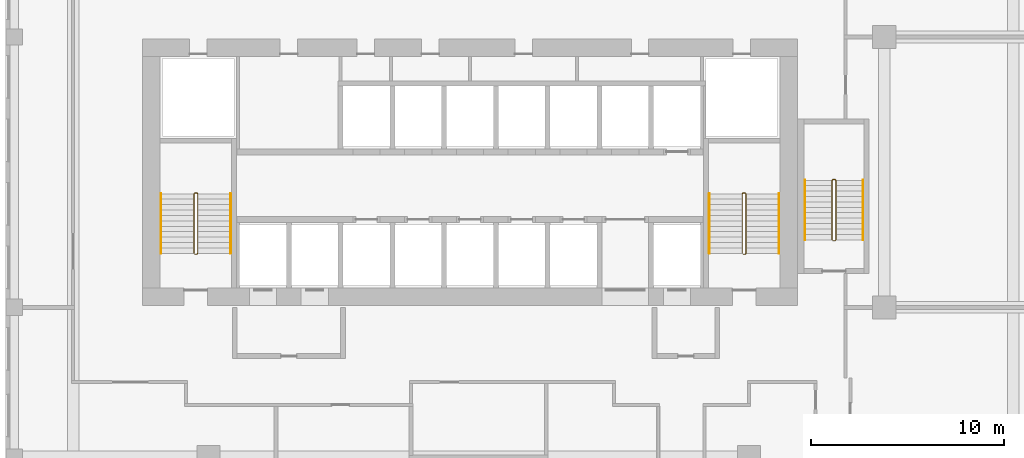
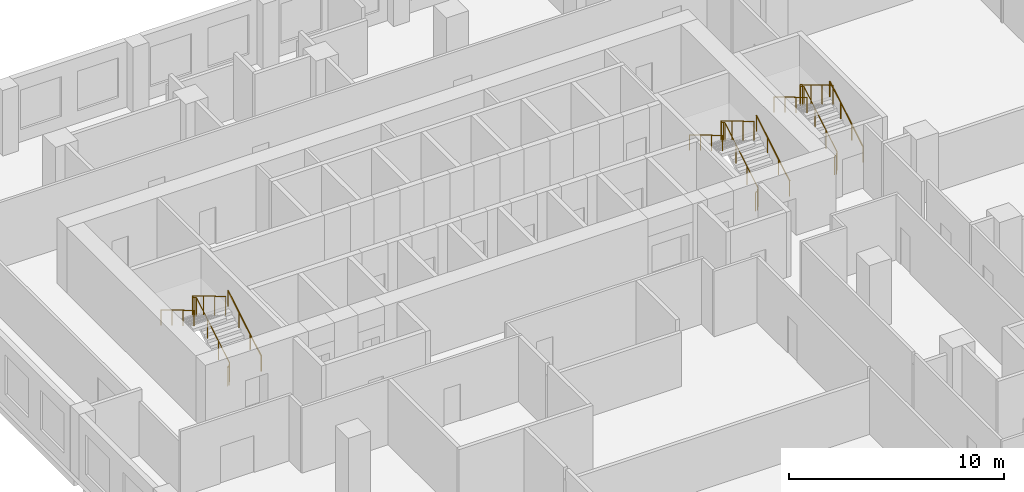
# One storey, part 25 of 26: 9 railings.
"""IFC4 building model written with IfcOpenShell, lengths in metres."""

import ifcopenshell
import ifcopenshell.guid

model = None  # the IFC model being written
_history = None  # IfcOwnerHistory: only IFC2X3 demands one
_inside = {}  # id of a spatial element -> (the spatial element, [elements in it])
_under = {}  # id of a project, library or spatial element -> (it, [spatial elements below it])
_declared = {}  # id of a project -> (the project, [libraries it declares])
_typed = {}  # id of a type object -> (the type object, [elements of that type])
_made_of = {}  # id of a material, layer set ... -> (it, [elements and type objects made of it])


def new_model(schema):
    """Start an empty IFC model of exactly this schema.

    Asked for "IFC4X3", IfcOpenShell would pick the latest addendum, in which some entities
    have other attributes; the version numbers below select the first issue.
    IFC2X3 requires an IfcOwnerHistory on every rooted entity: one is made here for all.
    """
    global model, _history
    if schema == "IFC4X3":
        model = ifcopenshell.file(schema_version=(4, 3, 0, 0))
    else:
        model = ifcopenshell.file(schema=schema)
    _inside.clear()
    _under.clear()
    _declared.clear()
    _typed.clear()
    _made_of.clear()
    _history = None
    if model.schema == "IFC2X3":
        org = make("IfcOrganization", Name="unknown")
        user = make(
            "IfcPersonAndOrganization",
            ThePerson=make("IfcPerson", FamilyName="unknown"),
            TheOrganization=org,
        )
        app = make(
            "IfcApplication",
            ApplicationDeveloper=org,
            Version="unknown",
            ApplicationFullName="unknown",
            ApplicationIdentifier="unknown",
        )
        _history = make(
            "IfcOwnerHistory",
            OwningUser=user,
            OwningApplication=app,
            ChangeAction="ADDED",
            CreationDate=0,
        )
    return model


def make(cls, **values):
    """One entity of the class cls with the attributes given. An attribute that is None is left unset."""
    return model.create_entity(
        cls, **{name: value for name, value in values.items() if value is not None}
    )


def rooted(cls, **values):
    """An entity with a GlobalId (a new one), such as an element, a storey or a relation."""
    return make(cls, GlobalId=ifcopenshell.guid.new(), OwnerHistory=_history, **values)


def si_unit(unit_type, name, prefix=None):
    """IfcSIUnit, for example si_unit("LENGTHUNIT", "METRE", prefix="MILLI")."""
    return make("IfcSIUnit", UnitType=unit_type, Prefix=prefix, Name=name)


def assignment(units):
    """IfcUnitAssignment: the units of a project."""
    return None if units is None else make("IfcUnitAssignment", Units=units)


def point(xyz):
    """IfcCartesianPoint."""
    return None if xyz is None else make("IfcCartesianPoint", Coordinates=xyz)


def direction(xyz):
    """IfcDirection."""
    return None if xyz is None else make("IfcDirection", DirectionRatios=xyz)


def frame(location, z_axis=None, x_axis=None):
    """IfcAxis2Placement3D, a coordinate frame: its origin and axes. An axis left out is left unset."""
    return make(
        "IfcAxis2Placement3D",
        Location=point(location),
        Axis=direction(z_axis),
        RefDirection=direction(x_axis),
    )


def frame_2d(location, x_axis=None):
    """IfcAxis2Placement2D, a coordinate frame in the plane: its origin and x axis."""
    return make(
        "IfcAxis2Placement2D", Location=point(location), RefDirection=direction(x_axis)
    )


def origin():
    """The frame at (0, 0, 0) with its axes left unset."""
    return frame((0.0, 0.0, 0.0))


def origin_2d():
    """The frame at (0, 0) in the plane with its x axis left unset."""
    return frame_2d((0.0, 0.0))


def place(relative_to, where):
    """IfcLocalPlacement: puts the frame where relative to a parent placement (None: the world)."""
    return make(
        "IfcLocalPlacement", PlacementRelTo=relative_to, RelativePlacement=where
    )


def context(
    kind, dimensions, precision=None, world=None, true_north=None, identifier=None
):
    """IfcGeometricRepresentationContext, for example the 3D "Model" context."""
    return make(
        "IfcGeometricRepresentationContext",
        ContextIdentifier=identifier,
        ContextType=kind,
        CoordinateSpaceDimension=dimensions,
        Precision=precision,
        WorldCoordinateSystem=world,
        TrueNorth=true_north,
    )


def subcontext(parent, identifier, kind, view, scale=None):
    """IfcGeometricRepresentationSubContext, for example "Body" below "Model"."""
    return make(
        "IfcGeometricRepresentationSubContext",
        ContextIdentifier=identifier,
        ContextType=kind,
        ParentContext=parent,
        TargetScale=scale,
        TargetView=view,
    )


def project(units=None, contexts=None):
    """IfcProject with its units and contexts."""
    return rooted(
        "IfcProject",
        Name="project",
        RepresentationContexts=contexts,
        UnitsInContext=assignment(units),
    )


def spatial(cls, under=None, at=None, **own):
    """A site, building, storey or space (cls), placed at a placement, below another one or the project."""
    s = rooted(cls, ObjectPlacement=at, **own)
    if under is not None:
        _under.setdefault(under.id(), (under, []))[1].append(s)
    return s


def profile(cls, at=None, kind="AREA", **sizes):
    """A parametric profile (cls). Its sizes go by their IFC names, for example OverallWidth=200.0."""
    return make(cls, ProfileType=kind, Position=at, **sizes)


def circle(**sizes):
    """IfcCircleProfileDef."""
    return profile("IfcCircleProfileDef", **sizes)


def extrude(swept, where, along, depth):
    """IfcExtrudedAreaSolid: the profile swept, set in the frame where, extruded along a direction by depth."""
    return make(
        "IfcExtrudedAreaSolid",
        SweptArea=swept,
        Position=where,
        ExtrudedDirection=direction(along),
        Depth=depth,
    )


def shape(context_of_items, identifier, shape_type, items):
    """IfcShapeRepresentation: the items that make up one representation, for example the "Body"."""
    return make(
        "IfcShapeRepresentation",
        ContextOfItems=context_of_items,
        RepresentationIdentifier=identifier,
        RepresentationType=shape_type,
        Items=items,
    )


def material(Name=None, Category=None):
    """IfcMaterial."""
    return make("IfcMaterial", Name=Name, Category=Category)


def made_of(thing, what):
    """Note that an element or type object is made of a material, layer set ...; save() writes the relation."""
    if what is not None:
        _made_of.setdefault(what.id(), (what, []))[1].append(thing)
    return thing


def type_object(cls, material=None, **own):
    """A type object (cls), such as IfcWallType, which elements share."""
    return made_of(rooted(cls, **own), material)


def element(
    cls,
    number,
    at=None,
    inside=None,
    cuts=None,
    type_object=None,
    material=None,
    context=None,
    identifier="Body",
    shape_type=None,
    held_by="IfcProductDefinitionShape",
    body=None,
    shapes=None,
    **own,
):
    """One element of the class cls, such as IfcWall. Its Tag is "e" and its number.

    at: its placement. inside: the storey or other place that contains it. cuts: it is an
    opening in that element (IfcRelVoidsElement). A single representation is given by context,
    identifier, shape_type and body (its items); several are given by shapes. held_by: the class
    of the entity that holds the representations. save() writes the other relations.
    """
    e = rooted(cls, Tag="e%d" % number, ObjectPlacement=at, **own)
    if body is not None:
        shapes = [shape(context, identifier, shape_type, body)]
    if shapes is not None:
        e.Representation = make(held_by, Representations=shapes)
    if inside is not None:
        _inside.setdefault(inside.id(), (inside, []))[1].append(e)
    if cuts is not None:
        rooted(
            "IfcRelVoidsElement", RelatingBuildingElement=cuts, RelatedOpeningElement=e
        )
    if type_object is not None:
        _typed.setdefault(type_object.id(), (type_object, []))[1].append(e)
    return made_of(e, material)


def aggregate(whole, parts):
    """IfcRelAggregates: a whole, such as a stair, and the parts it consists of."""
    return rooted("IfcRelAggregates", RelatingObject=whole, RelatedObjects=parts)


def save(model, path):
    """Write the relations noted so far, then the file.

    IfcRelAggregates (storeys below a building ...), IfcRelContainedInSpatialStructure (elements
    in a storey), IfcRelDefinesByType, IfcRelAssociatesMaterial and IfcRelDeclares: one each for
    every whole, place, type object, material and project.
    """
    for whole, parts in _under.values():
        aggregate(whole, parts)
    for where, things in _inside.values():
        rooted(
            "IfcRelContainedInSpatialStructure",
            RelatedElements=things,
            RelatingStructure=where,
        )
    for kind, things in _typed.values():
        rooted("IfcRelDefinesByType", RelatedObjects=things, RelatingType=kind)
    for what, things in _made_of.values():
        rooted("IfcRelAssociatesMaterial", RelatedObjects=things, RelatingMaterial=what)
    for by, libraries in _declared.values():
        rooted("IfcRelDeclares", RelatingContext=by, RelatedDefinitions=libraries)
    model.write(path)


model = new_model("IFC4")

# Units and contexts
model_context = context("Model", 3, precision=1e-05, world=origin(), true_north=direction((0.0, 1.0)))
body_context = subcontext(model_context, "Body", "Model", "MODEL_VIEW")
ifc_project = project(units=[si_unit("LENGTHUNIT", "METRE"), si_unit("AREAUNIT", "SQUARE_METRE"), si_unit("VOLUMEUNIT", "CUBIC_METRE"), si_unit("PLANEANGLEUNIT", "RADIAN"), si_unit("MASSUNIT", "GRAM", prefix="KILO")], contexts=[model_context])

# Site, building, storey
site_placement = place(None, origin())
site = spatial("IfcSite", under=ifc_project, at=site_placement, CompositionType="ELEMENT")
building_placement = place(site_placement, origin())
building = spatial("IfcBuilding", under=site, at=building_placement, Name="Kilnfold Tower and Market Hall", CompositionType="ELEMENT")
storey_placement = place(building_placement, frame((0.0, 0.0, 104.60009765625)))
storey = spatial("IfcBuildingStorey", under=building, at=storey_placement, Name="L24", CompositionType="ELEMENT", Elevation=104.60009765625)

# Railings
ifc_material_1 = material(Name="Stainless steel 316", Category="steel")
railing_type_1 = type_object("IfcRailingType", Name="CORE STAIR GUARD 1100", PredefinedType="GUARDRAIL", material=ifc_material_1)
railing_1_placement = place(storey_placement, frame((-13.199951171875, 10.75, 0.0)))
element("IfcRailing", 1, at=railing_1_placement, inside=storey, type_object=railing_type_1, Name="L24 ST1 stair guard 1", PredefinedType="GUARDRAIL", context=body_context, shape_type="SweptSolid", body=[
    extrude(circle(Radius=0.02392578125, at=origin_2d()), frame((0.0, 0.0, 1.076171875), z_axis=(1.0, 0.0, 0.0), x_axis=(0.0, 1.0, 0.0)), (0.0, 0.0, 1.0), 0.099853515625),
    extrude(circle(Radius=0.02392578125, at=origin_2d()), frame((0.099853515625, 0.0, 1.076171875), z_axis=(0.27662974545, 0.27662974545, 0.920299933644), x_axis=(-0.707106781187, 0.707106781187, 0.0)), (0.0, 0.0, 1.0), 0.180908203125),
    extrude(circle(Radius=0.02392578125, at=origin_2d()), frame((0.14990234375, 0.050048828125, 1.24267578125), z_axis=(0.0, 0.859260807169, 0.511537745687), x_axis=(-1.0, 0.0, 0.0)), (0.0, 0.0, 1.0), 3.584228515625),
    extrude(circle(Radius=0.02392578125, at=origin_2d()), frame((0.14990234375, 3.1298828125, 3.076171875), z_axis=(-0.707106781187, 0.707106781187, 0.0), x_axis=(-0.707106781187, -0.707106781187, 0.0)), (0.0, 0.0, 1.0), 0.07080078125),
    extrude(circle(Radius=0.02392578125, at=origin_2d()), frame((0.099853515625, 3.179931640625, 3.076171875), z_axis=(-1.0, 0.0, 0.0), x_axis=(0.0, -1.0, 0.0)), (0.0, 0.0, 1.0), 0.099853515625),
    extrude(circle(Radius=0.02392578125, at=origin_2d()), frame((0.0, 3.179931640625, 3.076171875), z_axis=(-0.27662974545, -0.27662974545, 0.920299933644), x_axis=(0.707106781187, -0.707106781187, 0.0)), (0.0, 0.0, 1.0), 0.180908203125),
    extrude(circle(Radius=0.02392578125, at=origin_2d()), frame((-0.050048828125, 3.1298828125, 3.24267578125), z_axis=(0.0, -0.859260807169, 0.511537745687), x_axis=(1.0, 0.0, 0.0)), (0.0, 0.0, 1.0), 3.584228515625),
    extrude(circle(Radius=0.02099609375, at=origin_2d()), origin(), (0.0, 0.0, 1.0), 1.052001953125),
    extrude(circle(Radius=0.02099609375, at=origin_2d()), frame((0.099853515625, 0.0, 0.0)), (0.0, 0.0, 1.0), 1.052001953125),
    extrude(circle(Radius=0.02099609375, at=origin_2d()), frame((0.14990234375, 0.050048828125, 0.16650390625)), (0.0, 0.0, 1.0), 1.052001953125),
    extrude(circle(Radius=0.02099609375, at=origin_2d()), frame((0.14990234375, 1.07666015625, 0.777587890625)), (0.0, 0.0, 1.0), 1.052001953125),
    extrude(circle(Radius=0.02099609375, at=origin_2d()), frame((0.14990234375, 2.103271484375, 1.388916015625)), (0.0, 0.0, 1.0), 1.052001953125),
    extrude(circle(Radius=0.02099609375, at=origin_2d()), frame((0.14990234375, 3.1298828125, 2.0)), (0.0, 0.0, 1.0), 1.052001953125),
    extrude(circle(Radius=0.02099609375, at=origin_2d()), frame((0.099853515625, 3.179931640625, 2.0)), (0.0, 0.0, 1.0), 1.052001953125),
    extrude(circle(Radius=0.02099609375, at=origin_2d()), frame((0.0, 3.179931640625, 2.0)), (0.0, 0.0, 1.0), 1.052001953125),
    extrude(circle(Radius=0.02099609375, at=origin_2d()), frame((-0.050048828125, 3.1298828125, 2.16650390625)), (0.0, 0.0, 1.0), 1.052001953125),
    extrude(circle(Radius=0.02099609375, at=origin_2d()), frame((-0.050048828125, 2.103271484375, 2.777587890625)), (0.0, 0.0, 1.0), 1.052001953125),
    extrude(circle(Radius=0.02099609375, at=origin_2d()), frame((-0.050048828125, 1.07666015625, 3.388916015625)), (0.0, 0.0, 1.0), 1.052001953125),
    extrude(circle(Radius=0.02099609375, at=origin_2d()), frame((-0.050048828125, 0.050048828125, 4.0)), (0.0, 0.0, 1.0), 1.052001953125),
])
railing_2_placement = place(storey_placement, frame((15.199951171875, 10.75, 0.0)))
element("IfcRailing", 2, at=railing_2_placement, inside=storey, type_object=railing_type_1, Name="L24 ST2 stair guard 1", PredefinedType="GUARDRAIL", context=body_context, shape_type="SweptSolid", body=[
    extrude(circle(Radius=0.02392578125, at=origin_2d()), frame((0.0, 0.0, 1.076171875), z_axis=(1.0, 0.0, 0.0), x_axis=(0.0, 1.0, 0.0)), (0.0, 0.0, 1.0), 0.10009765625),
    extrude(circle(Radius=0.02392578125, at=origin_2d()), frame((0.10009765625, 0.0, 1.076171875), z_axis=(0.27662974545, 0.27662974545, 0.920299933644), x_axis=(-0.707106781187, 0.707106781187, 0.0)), (0.0, 0.0, 1.0), 0.180908203125),
    extrude(circle(Radius=0.02392578125, at=origin_2d()), frame((0.150146484375, 0.050048828125, 1.24267578125), z_axis=(0.0, 0.859260807169, 0.511537745687), x_axis=(-1.0, 0.0, 0.0)), (0.0, 0.0, 1.0), 3.584228515625),
    extrude(circle(Radius=0.02392578125, at=origin_2d()), frame((0.150146484375, 3.1298828125, 3.076171875), z_axis=(-0.707106781187, 0.707106781187, 0.0), x_axis=(-0.707106781187, -0.707106781187, 0.0)), (0.0, 0.0, 1.0), 0.07080078125),
    extrude(circle(Radius=0.02392578125, at=origin_2d()), frame((0.10009765625, 3.179931640625, 3.076171875), z_axis=(-1.0, 0.0, 0.0), x_axis=(0.0, -1.0, 0.0)), (0.0, 0.0, 1.0), 0.10009765625),
    extrude(circle(Radius=0.02392578125, at=origin_2d()), frame((0.0, 3.179931640625, 3.076171875), z_axis=(-0.27662974545, -0.27662974545, 0.920299933644), x_axis=(0.707106781187, -0.707106781187, 0.0)), (0.0, 0.0, 1.0), 0.180908203125),
    extrude(circle(Radius=0.02392578125, at=origin_2d()), frame((-0.050048828125, 3.1298828125, 3.24267578125), z_axis=(0.0, -0.859260807169, 0.511537745687), x_axis=(1.0, 0.0, 0.0)), (0.0, 0.0, 1.0), 3.584228515625),
    extrude(circle(Radius=0.02099609375, at=origin_2d()), origin(), (0.0, 0.0, 1.0), 1.052001953125),
    extrude(circle(Radius=0.02099609375, at=origin_2d()), frame((0.10009765625, 0.0, 0.0)), (0.0, 0.0, 1.0), 1.052001953125),
    extrude(circle(Radius=0.02099609375, at=origin_2d()), frame((0.150146484375, 0.050048828125, 0.16650390625)), (0.0, 0.0, 1.0), 1.052001953125),
    extrude(circle(Radius=0.02099609375, at=origin_2d()), frame((0.150146484375, 1.07666015625, 0.777587890625)), (0.0, 0.0, 1.0), 1.052001953125),
    extrude(circle(Radius=0.02099609375, at=origin_2d()), frame((0.150146484375, 2.103271484375, 1.388916015625)), (0.0, 0.0, 1.0), 1.052001953125),
    extrude(circle(Radius=0.02099609375, at=origin_2d()), frame((0.150146484375, 3.1298828125, 2.0)), (0.0, 0.0, 1.0), 1.052001953125),
    extrude(circle(Radius=0.02099609375, at=origin_2d()), frame((0.10009765625, 3.179931640625, 2.0)), (0.0, 0.0, 1.0), 1.052001953125),
    extrude(circle(Radius=0.02099609375, at=origin_2d()), frame((0.0, 3.179931640625, 2.0)), (0.0, 0.0, 1.0), 1.052001953125),
    extrude(circle(Radius=0.02099609375, at=origin_2d()), frame((-0.050048828125, 3.1298828125, 2.16650390625)), (0.0, 0.0, 1.0), 1.052001953125),
    extrude(circle(Radius=0.02099609375, at=origin_2d()), frame((-0.050048828125, 2.103271484375, 2.777587890625)), (0.0, 0.0, 1.0), 1.052001953125),
    extrude(circle(Radius=0.02099609375, at=origin_2d()), frame((-0.050048828125, 1.07666015625, 3.388916015625)), (0.0, 0.0, 1.0), 1.052001953125),
    extrude(circle(Radius=0.02099609375, at=origin_2d()), frame((-0.050048828125, 0.050048828125, 4.0)), (0.0, 0.0, 1.0), 1.052001953125),
])
railing_3_placement = place(storey_placement, frame((19.85009765625, 11.449951171875, 0.0)))
element("IfcRailing", 3, at=railing_3_placement, inside=storey, type_object=railing_type_1, Name="L24 ST5 stair guard 1", PredefinedType="GUARDRAIL", context=body_context, shape_type="SweptSolid", body=[
    extrude(circle(Radius=0.02392578125, at=origin_2d()), frame((0.0, 0.0, 1.076171875), z_axis=(1.0, 0.0, 0.0), x_axis=(0.0, 1.0, 0.0)), (0.0, 0.0, 1.0), 0.099853515625),
    extrude(circle(Radius=0.02392578125, at=origin_2d()), frame((0.099853515625, 0.0, 1.076171875), z_axis=(0.27662974545, 0.27662974545, 0.920299933644), x_axis=(-0.707106781187, 0.707106781187, 0.0)), (0.0, 0.0, 1.0), 0.180908203125),
    extrude(circle(Radius=0.02392578125, at=origin_2d()), frame((0.14990234375, 0.050048828125, 1.24267578125), z_axis=(0.0, 0.85927862911, 0.511507807912), x_axis=(-1.0, 0.0, 0.0)), (0.0, 0.0, 1.0), 3.58447265625),
    extrude(circle(Radius=0.02392578125, at=origin_2d()), frame((0.14990234375, 3.130126953125, 3.076171875), z_axis=(-0.708833529934, 0.705375805398, 0.0), x_axis=(-0.705375805398, -0.708833529934, 0.0)), (0.0, 0.0, 1.0), 0.070556640625),
    extrude(circle(Radius=0.02392578125, at=origin_2d()), frame((0.099853515625, 3.179931640625, 3.076171875), z_axis=(-1.0, 0.0, 0.0), x_axis=(0.0, -1.0, 0.0)), (0.0, 0.0, 1.0), 0.099853515625),
    extrude(circle(Radius=0.02392578125, at=origin_2d()), frame((0.0, 3.179931640625, 3.076171875), z_axis=(-0.276732813696, -0.275382897532, 0.920642824102), x_axis=(0.705375805398, -0.708833529934, 0.0)), (0.0, 0.0, 1.0), 0.180908203125),
    extrude(circle(Radius=0.02392578125, at=origin_2d()), frame((-0.050048828125, 3.130126953125, 3.24267578125), z_axis=(0.0, -0.85927862911, 0.511507807912), x_axis=(1.0, 0.0, 0.0)), (0.0, 0.0, 1.0), 3.58447265625),
    extrude(circle(Radius=0.02099609375, at=origin_2d()), origin(), (0.0, 0.0, 1.0), 1.052001953125),
    extrude(circle(Radius=0.02099609375, at=origin_2d()), frame((0.099853515625, 0.0, 0.0)), (0.0, 0.0, 1.0), 1.052001953125),
    extrude(circle(Radius=0.02099609375, at=origin_2d()), frame((0.14990234375, 0.050048828125, 0.16650390625)), (0.0, 0.0, 1.0), 1.052001953125),
    extrude(circle(Radius=0.02099609375, at=origin_2d()), frame((0.14990234375, 1.07666015625, 0.777587890625)), (0.0, 0.0, 1.0), 1.052001953125),
    extrude(circle(Radius=0.02099609375, at=origin_2d()), frame((0.14990234375, 2.103515625, 1.388916015625)), (0.0, 0.0, 1.0), 1.052001953125),
    extrude(circle(Radius=0.02099609375, at=origin_2d()), frame((0.14990234375, 3.130126953125, 2.0)), (0.0, 0.0, 1.0), 1.052001953125),
    extrude(circle(Radius=0.02099609375, at=origin_2d()), frame((0.099853515625, 3.179931640625, 2.0)), (0.0, 0.0, 1.0), 1.052001953125),
    extrude(circle(Radius=0.02099609375, at=origin_2d()), frame((0.0, 3.179931640625, 2.0)), (0.0, 0.0, 1.0), 1.052001953125),
    extrude(circle(Radius=0.02099609375, at=origin_2d()), frame((-0.050048828125, 3.130126953125, 2.16650390625)), (0.0, 0.0, 1.0), 1.052001953125),
    extrude(circle(Radius=0.02099609375, at=origin_2d()), frame((-0.050048828125, 2.103515625, 2.777587890625)), (0.0, 0.0, 1.0), 1.052001953125),
    extrude(circle(Radius=0.02099609375, at=origin_2d()), frame((-0.050048828125, 1.07666015625, 3.388916015625)), (0.0, 0.0, 1.0), 1.052001953125),
    extrude(circle(Radius=0.02099609375, at=origin_2d()), frame((-0.050048828125, 0.050048828125, 4.0)), (0.0, 0.0, 1.0), 1.052001953125),
])
ifc_material_2 = material(Name="Stainless steel 316", Category="steel")
railing_type_2 = type_object("IfcRailingType", Name="CORE STAIR HANDRAIL 900", PredefinedType="HANDRAIL", material=ifc_material_2)
railing_4_placement = place(storey_placement, frame((-11.35009765625, 10.800048828125, 0.16650390625)))
element("IfcRailing", 4, at=railing_4_placement, inside=storey, type_object=railing_type_2, Name="L24 ST1 stair handrail 1", PredefinedType="HANDRAIL", context=body_context, shape_type="SweptSolid", body=[
    extrude(circle(Radius=0.02392578125, at=origin_2d()), frame((0.0, 0.0, 0.8759765625), z_axis=(0.0, 0.859260807169, 0.511537745687), x_axis=(-1.0, 0.0, 0.0)), (0.0, 0.0, 1.0), 3.584228515625),
    extrude(circle(Radius=0.02099609375, at=origin_2d()), origin(), (0.0, 0.0, 1.0), 0.851806640625),
    extrude(circle(Radius=0.02099609375, at=origin_2d()), frame((0.0, 1.026611328125, 0.611083984375)), (0.0, 0.0, 1.0), 0.851806640625),
    extrude(circle(Radius=0.02099609375, at=origin_2d()), frame((0.0, 2.05322265625, 1.222412109375)), (0.0, 0.0, 1.0), 0.851806640625),
    extrude(circle(Radius=0.02099609375, at=origin_2d()), frame((0.0, 3.079833984375, 1.83349609375)), (0.0, 0.0, 1.0), 0.851806640625),
])
railing_5_placement = place(storey_placement, frame((-14.949951171875, 13.8798828125, 2.16650390625)))
element("IfcRailing", 5, at=railing_5_placement, inside=storey, type_object=railing_type_2, Name="L24 ST1 stair handrail 2", PredefinedType="HANDRAIL", context=body_context, shape_type="SweptSolid", body=[
    extrude(circle(Radius=0.02392578125, at=origin_2d()), frame((0.0, 0.0, 0.8759765625), z_axis=(0.0, -0.859260807169, 0.511537745687), x_axis=(1.0, 0.0, 0.0)), (0.0, 0.0, 1.0), 3.584228515625),
    extrude(circle(Radius=0.02099609375, at=origin_2d()), origin(), (0.0, 0.0, 1.0), 0.851806640625),
    extrude(circle(Radius=0.02099609375, at=origin_2d()), frame((0.0, -1.026611328125, 0.611083984375)), (0.0, 0.0, 1.0), 0.851806640625),
    extrude(circle(Radius=0.02099609375, at=origin_2d()), frame((0.0, -2.05322265625, 1.222412109375)), (0.0, 0.0, 1.0), 0.851806640625),
    extrude(circle(Radius=0.02099609375, at=origin_2d()), frame((0.0, -3.079833984375, 1.83349609375)), (0.0, 0.0, 1.0), 0.851806640625),
])
railing_6_placement = place(storey_placement, frame((17.050048828125, 10.800048828125, 0.16650390625)))
element("IfcRailing", 6, at=railing_6_placement, inside=storey, type_object=railing_type_2, Name="L24 ST2 stair handrail 1", PredefinedType="HANDRAIL", context=body_context, shape_type="SweptSolid", body=[
    extrude(circle(Radius=0.02392578125, at=origin_2d()), frame((0.0, 0.0, 0.8759765625), z_axis=(0.0, 0.859260807169, 0.511537745687), x_axis=(-1.0, 0.0, 0.0)), (0.0, 0.0, 1.0), 3.584228515625),
    extrude(circle(Radius=0.02099609375, at=origin_2d()), origin(), (0.0, 0.0, 1.0), 0.851806640625),
    extrude(circle(Radius=0.02099609375, at=origin_2d()), frame((0.0, 1.026611328125, 0.611083984375)), (0.0, 0.0, 1.0), 0.851806640625),
    extrude(circle(Radius=0.02099609375, at=origin_2d()), frame((0.0, 2.05322265625, 1.222412109375)), (0.0, 0.0, 1.0), 0.851806640625),
    extrude(circle(Radius=0.02099609375, at=origin_2d()), frame((0.0, 3.079833984375, 1.83349609375)), (0.0, 0.0, 1.0), 0.851806640625),
])
railing_7_placement = place(storey_placement, frame((13.449951171875, 13.8798828125, 2.16650390625)))
element("IfcRailing", 7, at=railing_7_placement, inside=storey, type_object=railing_type_2, Name="L24 ST2 stair handrail 2", PredefinedType="HANDRAIL", context=body_context, shape_type="SweptSolid", body=[
    extrude(circle(Radius=0.02392578125, at=origin_2d()), frame((0.0, 0.0, 0.8759765625), z_axis=(0.0, -0.859260807169, 0.511537745687), x_axis=(1.0, 0.0, 0.0)), (0.0, 0.0, 1.0), 3.584228515625),
    extrude(circle(Radius=0.02099609375, at=origin_2d()), origin(), (0.0, 0.0, 1.0), 0.851806640625),
    extrude(circle(Radius=0.02099609375, at=origin_2d()), frame((0.0, -1.026611328125, 0.611083984375)), (0.0, 0.0, 1.0), 0.851806640625),
    extrude(circle(Radius=0.02099609375, at=origin_2d()), frame((0.0, -2.05322265625, 1.222412109375)), (0.0, 0.0, 1.0), 0.851806640625),
    extrude(circle(Radius=0.02099609375, at=origin_2d()), frame((0.0, -3.079833984375, 1.83349609375)), (0.0, 0.0, 1.0), 0.851806640625),
])
railing_8_placement = place(storey_placement, frame((21.39990234375, 11.5, 0.16650390625)))
element("IfcRailing", 8, at=railing_8_placement, inside=storey, type_object=railing_type_2, Name="L24 ST5 stair handrail 1", PredefinedType="HANDRAIL", context=body_context, shape_type="SweptSolid", body=[
    extrude(circle(Radius=0.02392578125, at=origin_2d()), frame((0.0, 0.0, 0.8759765625), z_axis=(0.0, 0.85927862911, 0.511507807912), x_axis=(-1.0, 0.0, 0.0)), (0.0, 0.0, 1.0), 3.58447265625),
    extrude(circle(Radius=0.02099609375, at=origin_2d()), origin(), (0.0, 0.0, 1.0), 0.851806640625),
    extrude(circle(Radius=0.02099609375, at=origin_2d()), frame((0.0, 1.026611328125, 0.611083984375)), (0.0, 0.0, 1.0), 0.851806640625),
    extrude(circle(Radius=0.02099609375, at=origin_2d()), frame((0.0, 2.053466796875, 1.222412109375)), (0.0, 0.0, 1.0), 0.851806640625),
    extrude(circle(Radius=0.02099609375, at=origin_2d()), frame((0.0, 3.080078125, 1.83349609375)), (0.0, 0.0, 1.0), 0.851806640625),
])
railing_9_placement = place(storey_placement, frame((18.39990234375, 14.580078125, 2.16650390625)))
element("IfcRailing", 9, at=railing_9_placement, inside=storey, type_object=railing_type_2, Name="L24 ST5 stair handrail 2", PredefinedType="HANDRAIL", context=body_context, shape_type="SweptSolid", body=[
    extrude(circle(Radius=0.02392578125, at=origin_2d()), frame((0.0, 0.0, 0.8759765625), z_axis=(0.0, -0.85927862911, 0.511507807912), x_axis=(1.0, 0.0, 0.0)), (0.0, 0.0, 1.0), 3.58447265625),
    extrude(circle(Radius=0.02099609375, at=origin_2d()), origin(), (0.0, 0.0, 1.0), 0.851806640625),
    extrude(circle(Radius=0.02099609375, at=origin_2d()), frame((0.0, -1.026611328125, 0.611083984375)), (0.0, 0.0, 1.0), 0.851806640625),
    extrude(circle(Radius=0.02099609375, at=origin_2d()), frame((0.0, -2.053466796875, 1.222412109375)), (0.0, 0.0, 1.0), 0.851806640625),
    extrude(circle(Radius=0.02099609375, at=origin_2d()), frame((0.0, -3.080078125, 1.83349609375)), (0.0, 0.0, 1.0), 0.851806640625),
])

save(model, "model.ifc")
